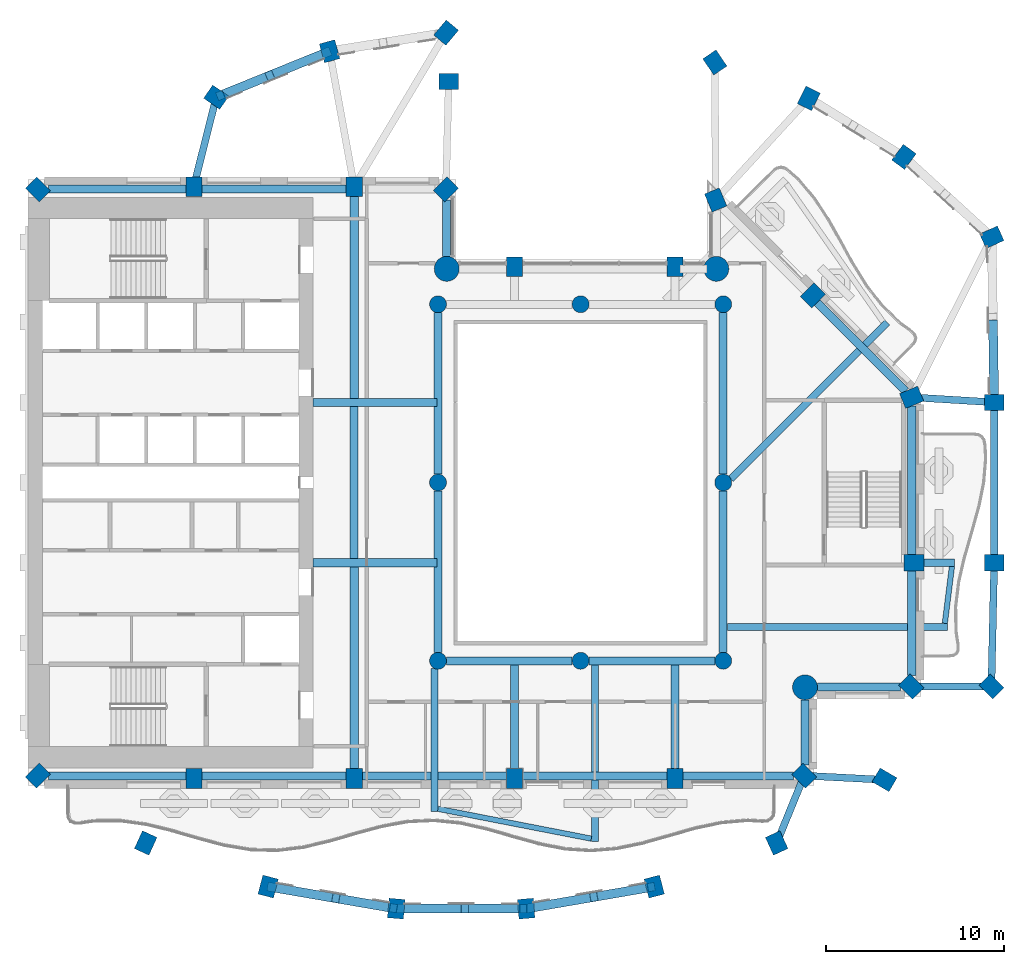
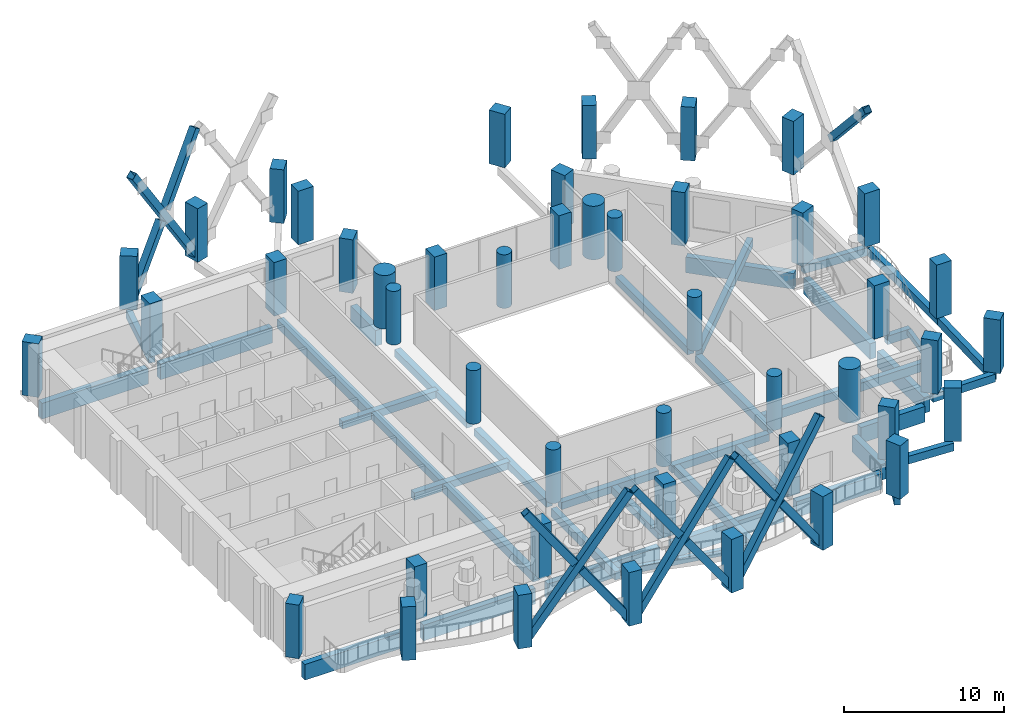
# One storey, part 1 of 16: 46 columns, 40 beams, 13 members.
"""IFC4 building model written with IfcOpenShell, lengths in metres."""

from ifc_helpers import new_model, si_unit, direction, frame, origin, origin_2d, place, context, subcontext, project, spatial, rectangle, hollow_rectangle, circle, extrude, material, material_profile, profile_set, type_object, element, save


model = new_model("IFC4")

# Units and contexts
model_context = context("Model", 3, precision=1e-05, world=origin(), true_north=direction((0.0, 1.0)))
body_context = subcontext(model_context, "Body", "Model", "MODEL_VIEW")
ifc_project = project(units=[si_unit("LENGTHUNIT", "METRE"), si_unit("AREAUNIT", "SQUARE_METRE"), si_unit("VOLUMEUNIT", "CUBIC_METRE"), si_unit("PLANEANGLEUNIT", "RADIAN"), si_unit("MASSUNIT", "GRAM", prefix="KILO")], contexts=[model_context])

# Site, building, storey
site_placement = place(None, origin())
site = spatial("IfcSite", under=ifc_project, at=site_placement, CompositionType="ELEMENT")
building_placement = place(site_placement, origin())
building = spatial("IfcBuilding", under=site, at=building_placement, Name="Cypress Arch Tower", CompositionType="ELEMENT")
storey_placement = place(building_placement, frame((0.0, 0.0, 230.199951171875)))
storey = spatial("IfcBuildingStorey", under=building, at=storey_placement, Name="L51", CompositionType="ELEMENT", Elevation=230.199951171875)

# Columns
ifc_material_1 = material(Name="Concrete C70/85", Category="concrete")
ifc_material_profile_1 = material_profile(ifc_material_1, rectangle(XDim=0.89990234375, YDim=1.10009765625, at=origin_2d()), Name="RC 900x1100")
ifc_profile_set_1 = profile_set([ifc_material_profile_1], Name="Concrete C70/85")
column_type_1 = type_object("IfcColumnType", Name="Column RC 900x1100 Concrete C70/85", PredefinedType="COLUMN", material=ifc_profile_set_1)
for number, where, z_axis, x_axis, name in (
    (1, (-29.44287109375, 16.44287109375, 0.0), (0.0, 0.0, 1.0), (-0.707106781187, -0.707106781187, 0.0), "Column L51 CB00"),
    (2, (-29.44287109375, -16.44287109375, 0.0), (0.0, 0.0, 1.0), (0.707106781187, -0.707106781187, 0.0), "Column L51 CB01"),
    (3, (-20.699951171875, -16.60009765625, 0.0), (0.0, 0.0, 1.0), (1.0, 0.0, 0.0), "Column L51 CB02"),
    (4, (-11.699951171875, -16.60009765625, 0.0), (0.0, 0.0, 1.0), (1.0, 0.0, 0.0), "Column L51 CB03"),
    (5, (-2.699951171875, -16.60009765625, 0.0), (0.0, 0.0, 1.0), (1.0, 0.0, 0.0), "Column L51 CB04"),
    (6, (6.300048828125, -16.60009765625, 0.0), (0.0, 0.0, 1.0), (1.0, 0.0, 0.0), "Column L51 CB05"),
    (7, (13.54296875, -16.44287109375, 0.0), (0.0, 0.0, 1.0), (0.707106781187, 0.707106781187, 0.0), "Column L51 CB06"),
    (8, (19.54296875, -11.44287109375, 0.0), (0.0, 0.0, 1.0), (0.707106781187, 0.707106781187, 0.0), "Column L51 CB08"),
    (9, (19.699951171875, -4.5, 0.0), (0.0, 0.0, 1.0), (0.0, 1.0, 0.0), "Column L51 CB09"),
    (10, (19.569580078125, 4.7802734375, 0.0), (0.0, 0.0, 1.0), (-0.382683496864, 0.923879505795, 0.0), "Column L51 CB10"),
    (11, (14.029296875, 10.505126953125, 0.0), (0.0, 0.0, 1.0), (-0.707106781187, 0.707106781187, 0.0), "Column L51 CB11"),
    (12, (8.576171875, 15.850341796875, 0.0), (0.0, 0.0, 1.0), (-0.923879672772, -0.382683093746, 0.0), "Column L51 CB12"),
    (13, (6.300048828125, 12.10009765625, 0.0), (0.0, 0.0, 1.0), (-1.0, 0.0, 0.0), "Column L51 CB14"),
    (14, (-2.699951171875, 12.10009765625, 0.0), (0.0, 0.0, 1.0), (-1.0, 0.0, 0.0), "Column L51 CB15"),
    (15, (-6.55712890625, 16.44287109375, 0.0), (0.0, 0.0, 1.0), (-0.707106781187, 0.707106781187, 0.0), "Column L51 CB17"),
    (16, (-11.699951171875, 16.60009765625, 0.0), (0.0, 0.0, 1.0), (-1.0, 0.0, 0.0), "Column L51 CB18"),
    (17, (-20.699951171875, 16.60009765625, 0.0), (0.0, 0.0, 1.0), (-1.0, 0.0, 0.0), "Column L51 CB19"),
    (18, (8.53076171875, 23.564697265625, 0.0), (0.0, 0.0, 1.0), (-0.828469606019, -0.560034027451, 0.0), "Column L51 CQ00"),
    (19, (-6.39990234375, 22.5, 0.0), (0.0, 0.0, 1.0), (0.0, 1.0, 0.0), "Column L51 CQ01"),
    (20, (-6.54833984375, 25.236572265625, 0.0), (0.0, 0.0, 1.0), (-0.766063514674, 0.642764880407, 0.0), "Column L51 CQ02"),
    (21, (-13.081298828125, 24.193359375, 0.0), (0.0, 0.0, 1.0), (-0.96345574646, -0.267867550506, 0.0), "Column L51 CQ03"),
    (22, (-19.44189453125, 21.616943359375, 0.0), (0.0, 0.0, 1.0), (-0.565892599589, -0.824478966215, 0.0), "Column L51 CQ04"),
    (23, (-23.398193359375, -20.221435546875, 0.0), (0.0, 0.0, 1.0), (0.909932071487, -0.414757308891, 0.0), "Column L51 CQ05"),
    (24, (-16.529052734375, -22.666259765625, 0.0), (0.0, 0.0, 1.0), (0.96735573689, -0.2534223319, 0.0), "Column L51 CQ06"),
    (25, (-9.3427734375, -23.903564453125, 0.0), (0.0, 0.0, 1.0), (0.996368206733, -0.085149260784, 0.0), "Column L51 CQ07"),
    (26, (-2.057373046875, -23.903564453125, 0.0), (0.0, 0.0, 1.0), (0.996368206733, 0.085149260784, 0.0), "Column L51 CQ08"),
    (27, (5.12890625, -22.666259765625, 0.0), (0.0, 0.0, 1.0), (0.96735573689, 0.2534223319, 0.0), "Column L51 CQ09"),
    (28, (11.998291015625, -20.221435546875, 0.0), (0.0, 0.0, 1.0), (0.909932071487, 0.414757308891, 0.0), "Column L51 CQ10"),
    (29, (18.048095703125, -16.677490234375, 0.0), (0.0, 0.0, 1.0), (0.504399289829, 0.86347053014, 0.0), "Column L51 CQ11"),
    (30, (24.04296875, -11.44287109375, 0.0), (0.0, 0.0, 1.0), (0.707106781187, 0.707106781187, 0.0), "Column L51 CQ12"),
    (31, (24.199951171875, -4.5, 0.0), (0.0, 0.0, 1.0), (0.0, 1.0, 0.0), "Column L51 CQ13"),
    (32, (24.199951171875, 4.5, 0.0), (0.0, 0.0, 1.0), (0.0, 1.0, 0.0), "Column L51 CQ14"),
    (33, (24.06396484375, 13.75927734375, 0.0), (0.0, 0.0, 1.0), (-0.409765058504, 0.912191096662, 0.0), "Column L51 CQ15"),
    (34, (19.13818359375, 18.267578125, 0.0), (0.0, 0.0, 1.0), (-0.802798546114, 0.596250362144, 0.0), "Column L51 CQ16"),
    (35, (13.80322265625, 21.549072265625, 0.0), (0.0, 0.0, 1.0), (-0.893106499805, 0.44984528452, 0.0), "Column L51 CQ17"),
):
    element("IfcColumn", number, at=place(storey_placement, frame(where, z_axis=z_axis, x_axis=x_axis)), inside=storey, type_object=column_type_1, Name=name, PredefinedType="COLUMN", context=body_context, shape_type="SweptSolid", body=[
        extrude(rectangle(XDim=0.89990234375, YDim=1.10009765625, at=origin_2d()), origin(), (0.0, 0.0, 1.0), 4.10009765625),
    ])
ifc_material_2 = material(Name="Concrete C70/85", Category="concrete")
ifc_material_profile_2 = material_profile(ifc_material_2, circle(Radius=0.47509765625, at=origin_2d()), Name="RC D950")
ifc_profile_set_2 = profile_set([ifc_material_profile_2], Name="Concrete C70/85")
column_type_2 = type_object("IfcColumnType", Name="Column RC D950 Concrete C70/85", PredefinedType="COLUMN", material=ifc_profile_set_2)
for number, where, z_axis, x_axis, name in (
    (36, (-7.0, -10.0, 0.0), (0.0, 0.0, 1.0), (1.0, 0.0, 0.0), "Column L51 RNG-L51-G-7-10"),
    (37, (-7.0, 0.0, 0.0), (0.0, 0.0, 1.0), (1.0, 0.0, 0.0), "Column L51 RNG-L51-G-7+0"),
    (38, (-7.0, 10.0, 0.0), (0.0, 0.0, 1.0), (1.0, 0.0, 0.0), "Column L51 RNG-L51-G-7+10"),
    (39, (1.0, -10.0, 0.0), (0.0, 0.0, 1.0), (1.0, 0.0, 0.0), "Column L51 RNG-L51-G+1-10"),
    (40, (1.0, 10.0, 0.0), (0.0, 0.0, 1.0), (1.0, 0.0, 0.0), "Column L51 RNG-L51-G+1+10"),
    (41, (9.0, -10.0, 0.0), (0.0, 0.0, 1.0), (1.0, 0.0, 0.0), "Column L51 RNG-L51-G+9-10"),
    (42, (9.0, 0.0, 0.0), (0.0, 0.0, 1.0), (1.0, 0.0, 0.0), "Column L51 RNG-L51-G+9+0"),
    (43, (9.0, 10.0, 0.0), (0.0, 0.0, 1.0), (1.0, 0.0, 0.0), "Column L51 RNG-L51-G+9+10"),
):
    element("IfcColumn", number, at=place(storey_placement, frame(where, z_axis=z_axis, x_axis=x_axis)), inside=storey, type_object=column_type_2, Name=name, PredefinedType="COLUMN", context=body_context, shape_type="SweptSolid", body=[
        extrude(circle(Radius=0.47509765625, at=origin_2d()), origin(), (0.0, 0.0, 1.0), 4.10009765625),
    ])
ifc_material_3 = material(Name="Concrete C70/85", Category="concrete")
ifc_material_profile_3 = material_profile(ifc_material_3, circle(Radius=0.699951171875, at=origin_2d()), Name="RC D1400")
ifc_profile_set_3 = profile_set([ifc_material_profile_3], Name="Concrete C70/85")
column_type_3 = type_object("IfcColumnType", Name="Mega-column RC D1400 Concrete C70/85", PredefinedType="COLUMN", material=ifc_profile_set_3)
for number, where, z_axis, x_axis, name in (
    (44, (13.587890625, -11.48779296875, 0.0), (0.0, 0.0, 1.0), (1.0, 0.0, 0.0), "Column L51 CB07"),
    (45, (8.612060546875, 11.98779296875, 0.0), (0.0, 0.0, 1.0), (1.0, 0.0, 0.0), "Column L51 CB13"),
    (46, (-6.51220703125, 11.98779296875, 0.0), (0.0, 0.0, 1.0), (1.0, 0.0, 0.0), "Column L51 CB16"),
):
    element("IfcColumn", number, at=place(storey_placement, frame(where, z_axis=z_axis, x_axis=x_axis)), inside=storey, type_object=column_type_3, Name=name, PredefinedType="COLUMN", context=body_context, shape_type="SweptSolid", body=[
        extrude(circle(Radius=0.699951171875, at=origin_2d()), origin(), (0.0, 0.0, 1.0), 4.10009765625),
    ])

# Beams
ifc_material_4 = material(Name="Concrete C50/60", Category="concrete")
ifc_material_profile_4 = material_profile(ifc_material_4, rectangle(XDim=0.300048828125, YDim=0.39990234375, at=origin_2d()), Name="RC 300x400")
ifc_profile_set_4 = profile_set([ifc_material_profile_4], Name="Concrete C50/60")
beam_type_1 = type_object("IfcBeamType", Name="Balcony edge beam RC 300x400 Concrete C50/60", PredefinedType="BEAM", material=ifc_profile_set_4)
beam_1_placement = place(storey_placement, frame((21.4306640625, -7.89990234375, -0.5), z_axis=(0.124379465357, 0.992234724547, 0.0), x_axis=(-0.992234724547, 0.124379465357, 0.0)))
element("IfcBeam", 47, at=beam_1_placement, inside=storey, type_object=beam_type_1, Name="Balcony edge beam L51 B04", PredefinedType="BEAM", context=body_context, shape_type="SweptSolid", body=[
    extrude(rectangle(XDim=0.300048828125, YDim=0.39990234375, at=origin_2d()), origin(), (0.0, 0.0, 1.0), 3.22509765625),
])
ifc_material_5 = material(Name="Concrete C50/60", Category="concrete")
ifc_material_profile_5 = material_profile(ifc_material_5, rectangle(XDim=0.300048828125, YDim=0.449951171875, at=origin_2d()), Name="RC 300x450")
ifc_profile_set_5 = profile_set([ifc_material_profile_5], Name="Concrete C50/60")
beam_type_2 = type_object("IfcBeamType", Name="Balcony edge beam RC 300x450 Concrete C50/60", PredefinedType="BEAM", material=ifc_profile_set_5)
beam_2_placement = place(storey_placement, frame((-7.0, -18.302734375, -0.52490234375), z_axis=(0.981534382149, -0.191285798372, 0.0), x_axis=(0.191285798372, 0.981534382149, 0.0)))
element("IfcBeam", 48, at=beam_2_placement, inside=storey, type_object=beam_type_2, Name="Balcony edge beam L51 B01", PredefinedType="BEAM", context=body_context, shape_type="SweptSolid", body=[
    extrude(rectangle(XDim=0.300048828125, YDim=0.449951171875, at=origin_2d()), origin(), (0.0, 0.0, 1.0), 8.761962890625),
])
ifc_material_6 = material(Name="Concrete C50/60", Category="concrete")
ifc_material_profile_6 = material_profile(ifc_material_6, rectangle(XDim=0.39990234375, YDim=0.64990234375, at=origin_2d()), Name="RC 400x650")
ifc_profile_set_6 = profile_set([ifc_material_profile_6], Name="Concrete C50/60")
beam_type_3 = type_object("IfcBeamType", Name="Cantilever beam RC 400x650 Concrete C50/60", PredefinedType="BEAM", material=ifc_profile_set_6)
beam_3_placement = place(storey_placement, frame((-7.199951171875, -10.4306640625, -0.625), z_axis=(0.0, -1.0, 0.0), x_axis=(1.0, 0.0, 0.0)))
element("IfcBeam", 49, at=beam_3_placement, inside=storey, type_object=beam_type_3, Name="Cantilever beam L51 B01 1", PredefinedType="BEAM", context=body_context, shape_type="SweptSolid", body=[
    extrude(rectangle(XDim=0.39990234375, YDim=0.64990234375, at=origin_2d()), origin(), (0.0, 0.0, 1.0), 8.022216796875),
])
beam_4_placement = place(storey_placement, frame((1.800048828125, -10.22509765625, -0.625), z_axis=(0.0, -1.0, 0.0), x_axis=(1.0, 0.0, 0.0)))
element("IfcBeam", 50, at=beam_4_placement, inside=storey, type_object=beam_type_3, Name="Cantilever beam L51 B01 2", PredefinedType="BEAM", context=body_context, shape_type="SweptSolid", body=[
    extrude(rectangle(XDim=0.39990234375, YDim=0.64990234375, at=origin_2d()), origin(), (0.0, 0.0, 1.0), 9.903564453125),
])
beam_5_placement = place(storey_placement, frame((9.22509765625, -8.10009765625, -0.625), z_axis=(1.0, 0.0, 0.0), x_axis=(0.0, 1.0, 0.0)))
element("IfcBeam", 51, at=beam_5_placement, inside=storey, type_object=beam_type_3, Name="Cantilever beam L51 B04 1", PredefinedType="BEAM", context=body_context, shape_type="SweptSolid", body=[
    extrude(rectangle(XDim=0.39990234375, YDim=0.64990234375, at=origin_2d()), origin(), (0.0, 0.0, 1.0), 12.35546875),
])
beam_6_placement = place(storey_placement, frame((20.25, -4.5, -0.625), z_axis=(1.0, 0.0, 0.0), x_axis=(0.0, 1.0, 0.0)))
element("IfcBeam", 52, at=beam_6_placement, inside=storey, type_object=beam_type_3, Name="Cantilever beam L51 B04 2", PredefinedType="BEAM", context=body_context, shape_type="SweptSolid", body=[
    extrude(rectangle(XDim=0.39990234375, YDim=0.64990234375, at=origin_2d()), origin(), (0.0, 0.0, 1.0), 1.731689453125),
])
beam_7_placement = place(storey_placement, frame((9.4287109375, 0.204345703125, -0.625), z_axis=(0.707106781187, 0.707106781187, 0.0), x_axis=(-0.707106781187, 0.707106781187, 0.0)))
element("IfcBeam", 53, at=beam_7_placement, inside=storey, type_object=beam_type_3, Name="Cantilever beam L51 B05 1", PredefinedType="BEAM", context=body_context, shape_type="SweptSolid", body=[
    extrude(rectangle(XDim=0.39990234375, YDim=0.64990234375, at=origin_2d()), origin(), (0.0, 0.0, 1.0), 12.4130859375),
])

# Members
ifc_material_7 = material(Name="Steel ASTM A500 Grade C", Category="steel")
ifc_material_profile_7 = material_profile(ifc_material_7, hollow_rectangle(XDim=0.508056640625, YDim=0.508056640625, WallThickness=0.017578125, at=origin_2d()), Name="HSS 20x20x3/4")
ifc_profile_set_7 = profile_set([ifc_material_profile_7], Name="Steel ASTM A500 Grade C")
member_type = type_object("IfcMemberType", Name="Exoskeleton brace HSS 20x20x3/4 Steel ASTM A500 Grade C", PredefinedType="BRACE", material=ifc_profile_set_7)
member_1_placement = place(storey_placement, frame((-13.231689453125, 24.13232421875, 0.2412109375), z_axis=(-0.517378573927, -0.20955395449, 0.829702688557), x_axis=(0.375406425589, -0.926860299952, 0.0)))
element("IfcMember", 54, at=member_1_placement, inside=storey, type_object=member_type, Name="Exoskeleton brace L51 CQ03-CQ04a", PredefinedType="BRACE", context=body_context, shape_type="SweptSolid", body=[
    extrude(hollow_rectangle(XDim=0.508056640625, YDim=0.508056640625, WallThickness=0.017578125, at=origin_2d()), origin(), (0.0, 0.0, 1.0), 11.557373046875),
])
member_2_placement = place(storey_placement, frame((-13.231689453125, 24.13232421875, 9.958984375), z_axis=(-0.512635505383, -0.207614934536, -0.833127167711), x_axis=(0.375378569734, -0.926871581927, 0.0)))
element("IfcMember", 55, at=member_2_placement, inside=storey, type_object=member_type, Name="Exoskeleton brace L51 CQ03-CQ04b1", PredefinedType="BRACE", context=body_context, shape_type="SweptSolid", body=[
    extrude(hollow_rectangle(XDim=0.508056640625, YDim=0.508056640625, WallThickness=0.017578125, at=origin_2d()), origin(), (0.0, 0.0, 1.0), 5.49169921875),
])
member_3_placement = place(storey_placement, frame((-19.211181640625, 21.71044921875, 0.369873046875), z_axis=(0.522179201322, 0.211500500307, 0.826193936117), x_axis=(-0.375409698912, 0.92685897415, 0.0)))
element("IfcMember", 56, at=member_3_placement, inside=storey, type_object=member_type, Name="Exoskeleton brace L51 CQ03-CQ04b2", PredefinedType="BRACE", context=body_context, shape_type="SweptSolid", body=[
    extrude(hollow_rectangle(XDim=0.508056640625, YDim=0.508056640625, WallThickness=0.017578125, at=origin_2d()), origin(), (0.0, 0.0, 1.0), 5.312255859375),
])
member_4_placement = place(storey_placement, frame((-16.366455078125, -22.694091796875, 0.23095703125), z_axis=(0.573142034672, -0.098708587973, 0.813489288652), x_axis=(0.169724896591, 0.985491481179, 0.0)))
element("IfcMember", 57, at=member_4_placement, inside=storey, type_object=member_type, Name="Exoskeleton brace L51 CQ06-CQ07a", PredefinedType="BRACE", context=body_context, shape_type="SweptSolid", body=[
    extrude(hollow_rectangle(XDim=0.508056640625, YDim=0.508056640625, WallThickness=0.017578125, at=origin_2d()), origin(), (0.0, 0.0, 1.0), 11.970947265625),
])
member_5_placement = place(storey_placement, frame((-16.366455078125, -22.694091796875, 9.96923828125), z_axis=(0.573149014479, -0.098726099249, -0.813482245983), x_axis=(0.169752131148, 0.985486790358, 0.0)))
element("IfcMember", 58, at=member_5_placement, inside=storey, type_object=member_type, Name="Exoskeleton brace L51 CQ06-CQ07b1", PredefinedType="BRACE", context=body_context, shape_type="SweptSolid", body=[
    extrude(hollow_rectangle(XDim=0.508056640625, YDim=0.508056640625, WallThickness=0.017578125, at=origin_2d()), origin(), (0.0, 0.0, 1.0), 5.630859375),
])
member_6_placement = place(storey_placement, frame((-9.50537109375, -23.875732421875, 0.23095703125), z_axis=(-0.573122351382, 0.098685615959, 0.813505943155), x_axis=(-0.169692194617, -0.985497112673, 0.0)))
element("IfcMember", 59, at=member_6_placement, inside=storey, type_object=member_type, Name="Exoskeleton brace L51 CQ06-CQ07b2", PredefinedType="BRACE", context=body_context, shape_type="SweptSolid", body=[
    extrude(hollow_rectangle(XDim=0.508056640625, YDim=0.508056640625, WallThickness=0.017578125, at=origin_2d()), origin(), (0.0, 0.0, 1.0), 5.630615234375),
])
member_7_placement = place(storey_placement, frame((-9.177734375, -23.903564453125, 0.23095703125), z_axis=(0.581228544489, 0.0, 0.813740363427), x_axis=(0.0, 1.0, 0.0)))
element("IfcMember", 60, at=member_7_placement, inside=storey, type_object=member_type, Name="Exoskeleton brace L51 CQ07-CQ08a", PredefinedType="BRACE", context=body_context, shape_type="SweptSolid", body=[
    extrude(hollow_rectangle(XDim=0.508056640625, YDim=0.508056640625, WallThickness=0.017578125, at=origin_2d()), origin(), (0.0, 0.0, 1.0), 11.967041015625),
])
for number, where, z_axis, x_axis, name in (
    (61, (-9.177734375, -23.903564453125, 9.968994140625), (0.581209470697, 0.0, -0.813753986885), (0.0, 1.0, 0.0), "Exoskeleton brace L51 CQ07-CQ08b1"),
    (62, (-2.22216796875, -23.903564453125, 0.23095703125), (-0.581238193719, 0.0, 0.813733471207), (0.0, -1.0, 0.0), "Exoskeleton brace L51 CQ07-CQ08b2"),
):
    element("IfcMember", number, at=place(storey_placement, frame(where, z_axis=z_axis, x_axis=x_axis)), inside=storey, type_object=member_type, Name=name, PredefinedType="BRACE", context=body_context, shape_type="SweptSolid", body=[
        extrude(hollow_rectangle(XDim=0.508056640625, YDim=0.508056640625, WallThickness=0.017578125, at=origin_2d()), origin(), (0.0, 0.0, 1.0), 5.62841796875),
    ])
member_8_placement = place(storey_placement, frame((-1.894775390625, -23.875732421875, 0.23095703125), z_axis=(0.573142034672, 0.098708587973, 0.813489288652), x_axis=(-0.169724896591, 0.985491481179, 0.0)))
element("IfcMember", 63, at=member_8_placement, inside=storey, type_object=member_type, Name="Exoskeleton brace L51 CQ08-CQ09a", PredefinedType="BRACE", context=body_context, shape_type="SweptSolid", body=[
    extrude(hollow_rectangle(XDim=0.508056640625, YDim=0.508056640625, WallThickness=0.017578125, at=origin_2d()), origin(), (0.0, 0.0, 1.0), 11.970947265625),
])
member_9_placement = place(storey_placement, frame((-1.894775390625, -23.875732421875, 9.96923828125), z_axis=(0.573151467356, 0.098683163606, -0.813485727403), x_axis=(-0.169679727231, 0.985499259344, 0.0)))
element("IfcMember", 64, at=member_9_placement, inside=storey, type_object=member_type, Name="Exoskeleton brace L51 CQ08-CQ09b1", PredefinedType="BRACE", context=body_context, shape_type="SweptSolid", body=[
    extrude(hollow_rectangle(XDim=0.508056640625, YDim=0.508056640625, WallThickness=0.017578125, at=origin_2d()), origin(), (0.0, 0.0, 1.0), 5.630859375),
])
member_10_placement = place(storey_placement, frame((4.96630859375, -22.694091796875, 0.23095703125), z_axis=(-0.573119898507, -0.098728552648, 0.813502461476), x_axis=(0.169764603538, -0.985484641882, 0.0)))
element("IfcMember", 65, at=member_10_placement, inside=storey, type_object=member_type, Name="Exoskeleton brace L51 CQ08-CQ09b2", PredefinedType="BRACE", context=body_context, shape_type="SweptSolid", body=[
    extrude(hollow_rectangle(XDim=0.508056640625, YDim=0.508056640625, WallThickness=0.017578125, at=origin_2d()), origin(), (0.0, 0.0, 1.0), 5.630615234375),
])
member_11_placement = place(storey_placement, frame((24.197265625, 4.681884765625, 9.99951171875), z_axis=(-0.009859528932, 0.670447967359, -0.741891038329), x_axis=(-0.999891886048, -0.014704292442, 0.0)))
element("IfcMember", 66, at=member_11_placement, inside=storey, type_object=member_type, Name="Exoskeleton brace L51 CQ14-CQ15b1", PredefinedType="BRACE", context=body_context, shape_type="SweptSolid", body=[
    extrude(hollow_rectangle(XDim=0.508056640625, YDim=0.508056640625, WallThickness=0.017578125, at=origin_2d()), origin(), (0.0, 0.0, 1.0), 6.339111328125),
])

# Beams
ifc_material_8 = material(Name="Concrete C50/60", Category="concrete")
ifc_material_profile_8 = material_profile(ifc_material_8, rectangle(XDim=0.449951171875, YDim=0.550048828125, at=origin_2d()), Name="RC 450x550")
ifc_profile_set_8 = profile_set([ifc_material_profile_8], Name="Concrete C50/60")
beam_type_4 = type_object("IfcBeamType", Name="Floor beam RC 450x550 Concrete C50/60", PredefinedType="BEAM", material=ifc_profile_set_8)
for number, where, z_axis, x_axis, name in (
    (67, (-7.0, -9.52490234375, -0.574951171875), (0.0, 1.0, 0.0), (-1.0, 0.0, 0.0), "Floor beam L51 RB001"),
    (68, (-7.0, 0.47509765625, -0.574951171875), (0.0, 1.0, 0.0), (-1.0, 0.0, 0.0), "Floor beam L51 RB002"),
    (69, (9.0, -9.52490234375, -0.574951171875), (0.0, 1.0, 0.0), (-1.0, 0.0, 0.0), "Floor beam L51 RB003"),
    (70, (9.0, 0.47509765625, -0.574951171875), (0.0, 1.0, 0.0), (-1.0, 0.0, 0.0), "Floor beam L51 RB004"),
):
    element("IfcBeam", number, at=place(storey_placement, frame(where, z_axis=z_axis, x_axis=x_axis)), inside=storey, type_object=beam_type_4, Name=name, PredefinedType="BEAM", context=body_context, shape_type="SweptSolid", body=[
        extrude(rectangle(XDim=0.449951171875, YDim=0.550048828125, at=origin_2d()), origin(), (0.0, 0.0, 1.0), 9.0498046875),
    ])
for number, where, z_axis, x_axis, name in (
    (71, (-6.52490234375, -10.0, -0.574951171875), (1.0, 0.0, 0.0), (0.0, 1.0, 0.0), "Floor beam L51 RB005"),
    (72, (1.47509765625, -10.0, -0.574951171875), (1.0, 0.0, 0.0), (0.0, 1.0, 0.0), "Floor beam L51 RB006"),
):
    element("IfcBeam", number, at=place(storey_placement, frame(where, z_axis=z_axis, x_axis=x_axis)), inside=storey, type_object=beam_type_4, Name=name, PredefinedType="BEAM", context=body_context, shape_type="SweptSolid", body=[
        extrude(rectangle(XDim=0.449951171875, YDim=0.550048828125, at=origin_2d()), origin(), (0.0, 0.0, 1.0), 7.0498046875),
    ])
for number, where, z_axis, x_axis, name in (
    (73, (-14.0, -4.5, -0.574951171875), (1.0, 0.0, 0.0), (0.0, 1.0, 0.0), "Floor beam L51 FB009"),
    (74, (-14.0, 4.5, -0.574951171875), (1.0, 0.0, 0.0), (0.0, 1.0, 0.0), "Floor beam L51 FB010"),
):
    element("IfcBeam", number, at=place(storey_placement, frame(where, z_axis=z_axis, x_axis=x_axis)), inside=storey, type_object=beam_type_4, Name=name, PredefinedType="BEAM", context=body_context, shape_type="SweptSolid", body=[
        extrude(rectangle(XDim=0.449951171875, YDim=0.550048828125, at=origin_2d()), origin(), (0.0, 0.0, 1.0), 6.949951171875),
    ])
beam_8_placement = place(storey_placement, frame((-11.699951171875, -4.27490234375, -0.574951171875), z_axis=(0.0, 1.0, 0.0), x_axis=(-1.0, 0.0, 0.0)))
element("IfcBeam", 75, at=beam_8_placement, inside=storey, type_object=beam_type_4, Name="Floor beam L51 FB012", PredefinedType="BEAM", context=body_context, shape_type="SweptSolid", body=[
    extrude(rectangle(XDim=0.449951171875, YDim=0.550048828125, at=origin_2d()), origin(), (0.0, 0.0, 1.0), 8.5498046875),
])
for number, where, z_axis, x_axis, name in (
    (76, (-2.699951171875, -16.050048828125, -0.574951171875), (0.0, 1.0, 0.0), (-1.0, 0.0, 0.0), "Floor beam L51 FB014"),
    (77, (6.300048828125, -16.050048828125, -0.574951171875), (0.0, 1.0, 0.0), (-1.0, 0.0, 0.0), "Floor beam L51 FB016"),
):
    element("IfcBeam", number, at=place(storey_placement, frame(where, z_axis=z_axis, x_axis=x_axis)), inside=storey, type_object=beam_type_4, Name=name, PredefinedType="BEAM", context=body_context, shape_type="SweptSolid", body=[
        extrude(rectangle(XDim=0.449951171875, YDim=0.550048828125, at=origin_2d()), origin(), (0.0, 0.0, 1.0), 5.824951171875),
    ])
ifc_material_9 = material(Name="Concrete C50/60", Category="concrete")
ifc_material_profile_9 = material_profile(ifc_material_9, rectangle(XDim=0.5, YDim=0.64990234375, at=origin_2d()), Name="RC 500x650")
ifc_profile_set_9 = profile_set([ifc_material_profile_9], Name="Concrete C50/60")
beam_type_5 = type_object("IfcBeamType", Name="Floor beam RC 500x650 Concrete C50/60", PredefinedType="BEAM", material=ifc_profile_set_9)
for number, where, z_axis, x_axis, name in (
    (78, (-11.699951171875, -16.050048828125, -0.625), (0.0, 1.0, 0.0), (-1.0, 0.0, 0.0), "Floor beam L51 FB011"),
    (79, (-11.699951171875, 4.72509765625, -0.625), (0.0, 1.0, 0.0), (-1.0, 0.0, 0.0), "Floor beam L51 FB013"),
):
    element("IfcBeam", number, at=place(storey_placement, frame(where, z_axis=z_axis, x_axis=x_axis)), inside=storey, type_object=beam_type_5, Name=name, PredefinedType="BEAM", context=body_context, shape_type="SweptSolid", body=[
        extrude(rectangle(XDim=0.5, YDim=0.64990234375, at=origin_2d()), origin(), (0.0, 0.0, 1.0), 11.324951171875),
    ])
ifc_material_10 = material(Name="Concrete C50/60", Category="concrete")
ifc_material_profile_10 = material_profile(ifc_material_10, rectangle(XDim=0.39990234375, YDim=0.60009765625, at=origin_2d()), Name="RC 400x600")
ifc_profile_set_10 = profile_set([ifc_material_profile_10], Name="Concrete C50/60")
beam_type_6 = type_object("IfcBeamType", Name="Pilotis tie beam RC 400x600 Concrete C50/60", PredefinedType="BEAM", material=ifc_profile_set_10)
beam_9_placement = place(storey_placement, frame((-19.44189453125, 21.616943359375, -0.599853515625), z_axis=(-0.243235271871, -0.969967320335, 0.0), x_axis=(0.969967320335, -0.243235271871, 0.0)))
element("IfcBeam", 80, at=beam_9_placement, inside=storey, type_object=beam_type_6, Name="Pilotis tie beam L51 CQ04-CB19", PredefinedType="BEAM", context=body_context, shape_type="SweptSolid", body=[
    extrude(rectangle(XDim=0.39990234375, YDim=0.60009765625, at=origin_2d()), origin(), (0.0, 0.0, 1.0), 5.172119140625),
])
beam_10_placement = place(storey_placement, frame((11.998291015625, -20.221435546875, -0.599853515625), z_axis=(0.378402283859, 0.925641243447, 0.0), x_axis=(-0.925641243447, 0.378402283859, 0.0)))
element("IfcBeam", 81, at=beam_10_placement, inside=storey, type_object=beam_type_6, Name="Pilotis tie beam L51 CQ10-CB06", PredefinedType="BEAM", context=body_context, shape_type="SweptSolid", body=[
    extrude(rectangle(XDim=0.39990234375, YDim=0.60009765625, at=origin_2d()), origin(), (0.0, 0.0, 1.0), 4.08203125),
])
beam_11_placement = place(storey_placement, frame((18.048095703125, -16.677490234375, -0.599853515625), z_axis=(-0.998646679968, 0.052007774316, 0.0), x_axis=(-0.052007774316, -0.998646679968, 0.0)))
element("IfcBeam", 82, at=beam_11_placement, inside=storey, type_object=beam_type_6, Name="Pilotis tie beam L51 CQ11-CB06", PredefinedType="BEAM", context=body_context, shape_type="SweptSolid", body=[
    extrude(rectangle(XDim=0.39990234375, YDim=0.60009765625, at=origin_2d()), origin(), (0.0, 0.0, 1.0), 4.51123046875),
])
beam_12_placement = place(storey_placement, frame((24.04296875, -11.44287109375, -0.599853515625), z_axis=(0.022604813971, 0.999744478547, 0.0), x_axis=(-0.999744478547, 0.022604813971, 0.0)))
element("IfcBeam", 83, at=beam_12_placement, inside=storey, type_object=beam_type_6, Name="Pilotis tie beam L51 CQ12-CQ13", PredefinedType="BEAM", context=body_context, shape_type="SweptSolid", body=[
    extrude(rectangle(XDim=0.39990234375, YDim=0.60009765625, at=origin_2d()), origin(), (0.0, 0.0, 1.0), 6.944580078125),
])
beam_13_placement = place(storey_placement, frame((24.04296875, -11.44287109375, -0.599853515625), z_axis=(-1.0, 0.0, 0.0), x_axis=(0.0, -1.0, 0.0)))
element("IfcBeam", 84, at=beam_13_placement, inside=storey, type_object=beam_type_6, Name="Pilotis tie beam L51 CQ12-CB08", PredefinedType="BEAM", context=body_context, shape_type="SweptSolid", body=[
    extrude(rectangle(XDim=0.39990234375, YDim=0.60009765625, at=origin_2d()), origin(), (0.0, 0.0, 1.0), 4.5),
])
beam_14_placement = place(storey_placement, frame((24.199951171875, 4.5, -0.599853515625), z_axis=(0.0, -1.0, 0.0), x_axis=(1.0, 0.0, 0.0)))
element("IfcBeam", 85, at=beam_14_placement, inside=storey, type_object=beam_type_6, Name="Pilotis tie beam L51 CQ14-CQ13", PredefinedType="BEAM", context=body_context, shape_type="SweptSolid", body=[
    extrude(rectangle(XDim=0.39990234375, YDim=0.60009765625, at=origin_2d()), origin(), (0.0, 0.0, 1.0), 9.0),
])
beam_15_placement = place(storey_placement, frame((24.199951171875, 4.5, -0.599853515625), z_axis=(-0.998173116263, 0.060418788225, 0.0), x_axis=(-0.060418788225, -0.998173116263, 0.0)))
element("IfcBeam", 86, at=beam_15_placement, inside=storey, type_object=beam_type_6, Name="Pilotis tie beam L51 CQ14-CB10", PredefinedType="BEAM", context=body_context, shape_type="SweptSolid", body=[
    extrude(rectangle(XDim=0.39990234375, YDim=0.60009765625, at=origin_2d()), origin(), (0.0, 0.0, 1.0), 4.638916015625),
])
ifc_material_11 = material(Name="Concrete C50/60", Category="concrete")
ifc_material_profile_11 = material_profile(ifc_material_11, rectangle(XDim=0.449951171875, YDim=1.199951171875, at=origin_2d()), Name="RC 450x1200")
ifc_profile_set_11 = profile_set([ifc_material_profile_11], Name="Concrete C50/60")
beam_type_7 = type_object("IfcBeamType", Name="Spandrel beam RC 450x1200 Concrete C50/60", PredefinedType="SPANDREL", material=ifc_profile_set_11)
beam_16_placement = place(storey_placement, frame((-28.838623046875, -16.47509765625, -1.550048828125), z_axis=(1.0, 0.0, 0.0), x_axis=(0.0, 1.0, 0.0)))
element("IfcBeam", 87, at=beam_16_placement, inside=storey, type_object=beam_type_7, Name="Spandrel beam L51 BB01-0", PredefinedType="SPANDREL", context=body_context, shape_type="SweptSolid", body=[
    extrude(rectangle(XDim=0.449951171875, YDim=1.199951171875, at=origin_2d()), origin(), (0.0, 0.0, 1.0), 7.688720703125),
])
for number, where, z_axis, x_axis, name in (
    (88, (-20.25, -16.47509765625, -1.550048828125), (1.0, 0.0, 0.0), (0.0, 1.0, 0.0), "Spandrel beam L51 BB01-1"),
    (89, (-11.25, -16.47509765625, -1.550048828125), (1.0, 0.0, 0.0), (0.0, 1.0, 0.0), "Spandrel beam L51 BB01-2"),
    (90, (-2.25, -16.47509765625, -1.550048828125), (1.0, 0.0, 0.0), (0.0, 1.0, 0.0), "Spandrel beam L51 BB01-3"),
):
    element("IfcBeam", number, at=place(storey_placement, frame(where, z_axis=z_axis, x_axis=x_axis)), inside=storey, type_object=beam_type_7, Name=name, PredefinedType="SPANDREL", context=body_context, shape_type="SweptSolid", body=[
        extrude(rectangle(XDim=0.449951171875, YDim=1.199951171875, at=origin_2d()), origin(), (0.0, 0.0, 1.0), 8.10009765625),
    ])
beam_17_placement = place(storey_placement, frame((6.75, -16.47509765625, -1.550048828125), z_axis=(1.0, 0.0, 0.0), x_axis=(0.0, 1.0, 0.0)))
element("IfcBeam", 91, at=beam_17_placement, inside=storey, type_object=beam_type_7, Name="Spandrel beam L51 BB01-4", PredefinedType="SPANDREL", context=body_context, shape_type="SweptSolid", body=[
    extrude(rectangle(XDim=0.449951171875, YDim=1.199951171875, at=origin_2d()), origin(), (0.0, 0.0, 1.0), 6.188720703125),
])
beam_18_placement = place(storey_placement, frame((13.574951171875, -15.838623046875, -1.550048828125), z_axis=(0.0, 1.0, 0.0), x_axis=(-1.0, 0.0, 0.0)))
element("IfcBeam", 92, at=beam_18_placement, inside=storey, type_object=beam_type_7, Name="Spandrel beam L51 BB02-0", PredefinedType="SPANDREL", context=body_context, shape_type="SweptSolid", body=[
    extrude(rectangle(XDim=0.449951171875, YDim=1.199951171875, at=origin_2d()), origin(), (0.0, 0.0, 1.0), 3.651123046875),
])
beam_19_placement = place(storey_placement, frame((14.28759765625, -11.47509765625, -1.550048828125), z_axis=(1.0, 0.0, 0.0), x_axis=(0.0, 1.0, 0.0)))
element("IfcBeam", 93, at=beam_19_placement, inside=storey, type_object=beam_type_7, Name="Spandrel beam L51 BB03-0", PredefinedType="SPANDREL", context=body_context, shape_type="SweptSolid", body=[
    extrude(rectangle(XDim=0.449951171875, YDim=1.199951171875, at=origin_2d()), origin(), (0.0, 0.0, 1.0), 4.651123046875),
])
beam_20_placement = place(storey_placement, frame((19.574951171875, -10.838623046875, -1.550048828125), z_axis=(0.0, 1.0, 0.0), x_axis=(-1.0, 0.0, 0.0)))
element("IfcBeam", 94, at=beam_20_placement, inside=storey, type_object=beam_type_7, Name="Spandrel beam L51 BB04-0", PredefinedType="SPANDREL", context=body_context, shape_type="SweptSolid", body=[
    extrude(rectangle(XDim=0.449951171875, YDim=1.199951171875, at=origin_2d()), origin(), (0.0, 0.0, 1.0), 5.888671875),
])
beam_21_placement = place(storey_placement, frame((19.574951171875, -4.050048828125, -1.550048828125), z_axis=(0.0, 1.0, 0.0), x_axis=(-1.0, 0.0, 0.0)))
element("IfcBeam", 95, at=beam_21_placement, inside=storey, type_object=beam_type_7, Name="Spandrel beam L51 BB04-1", PredefinedType="SPANDREL", context=body_context, shape_type="SweptSolid", body=[
    extrude(rectangle(XDim=0.449951171875, YDim=1.199951171875, at=origin_2d()), origin(), (0.0, 0.0, 1.0), 8.345458984375),
])
beam_22_placement = place(storey_placement, frame((19.23046875, 5.126953125, -1.550048828125), z_axis=(-0.707106781187, 0.707106781187, 0.0), x_axis=(-0.707106781187, -0.707106781187, 0.0)))
element("IfcBeam", 96, at=beam_22_placement, inside=storey, type_object=beam_type_7, Name="Spandrel beam L51 BB05-0", PredefinedType="SPANDREL", context=body_context, shape_type="SweptSolid", body=[
    extrude(rectangle(XDim=0.449951171875, YDim=1.199951171875, at=origin_2d()), origin(), (0.0, 0.0, 1.0), 7.03076171875),
])
beam_23_placement = place(storey_placement, frame((-6.52490234375, 12.6875, -1.550048828125), z_axis=(0.0, 1.0, 0.0), x_axis=(-1.0, 0.0, 0.0)))
element("IfcBeam", 97, at=beam_23_placement, inside=storey, type_object=beam_type_7, Name="Spandrel beam L51 BB08-0", PredefinedType="SPANDREL", context=body_context, shape_type="SweptSolid", body=[
    extrude(rectangle(XDim=0.449951171875, YDim=1.199951171875, at=origin_2d()), origin(), (0.0, 0.0, 1.0), 3.151123046875),
])
beam_24_placement = place(storey_placement, frame((-12.14990234375, 16.47509765625, -1.550048828125), z_axis=(-1.0, 0.0, 0.0), x_axis=(0.0, -1.0, 0.0)))
element("IfcBeam", 98, at=beam_24_placement, inside=storey, type_object=beam_type_7, Name="Spandrel beam L51 BB09-1", PredefinedType="SPANDREL", context=body_context, shape_type="SweptSolid", body=[
    extrude(rectangle(XDim=0.449951171875, YDim=1.199951171875, at=origin_2d()), origin(), (0.0, 0.0, 1.0), 8.10009765625),
])
beam_25_placement = place(storey_placement, frame((-21.14990234375, 16.47509765625, -1.550048828125), z_axis=(-1.0, 0.0, 0.0), x_axis=(0.0, -1.0, 0.0)))
element("IfcBeam", 99, at=beam_25_placement, inside=storey, type_object=beam_type_7, Name="Spandrel beam L51 BB09-2", PredefinedType="SPANDREL", context=body_context, shape_type="SweptSolid", body=[
    extrude(rectangle(XDim=0.449951171875, YDim=1.199951171875, at=origin_2d()), origin(), (0.0, 0.0, 1.0), 7.688720703125),
])

save(model, "model.ifc")
